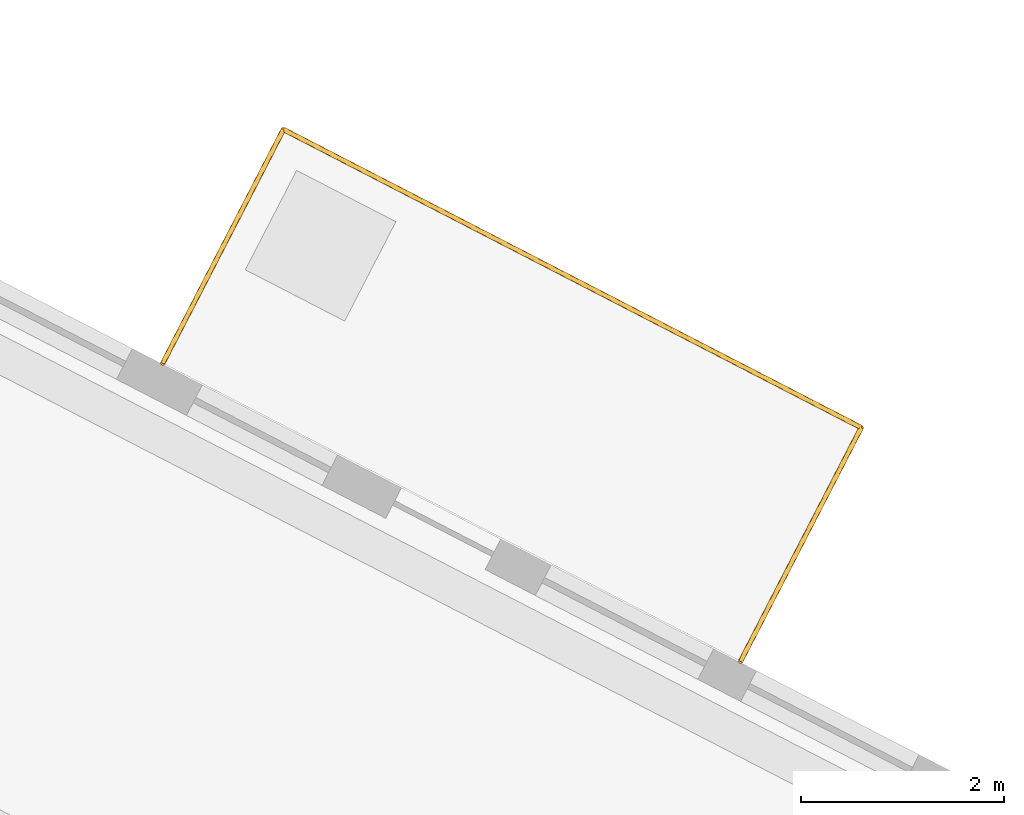
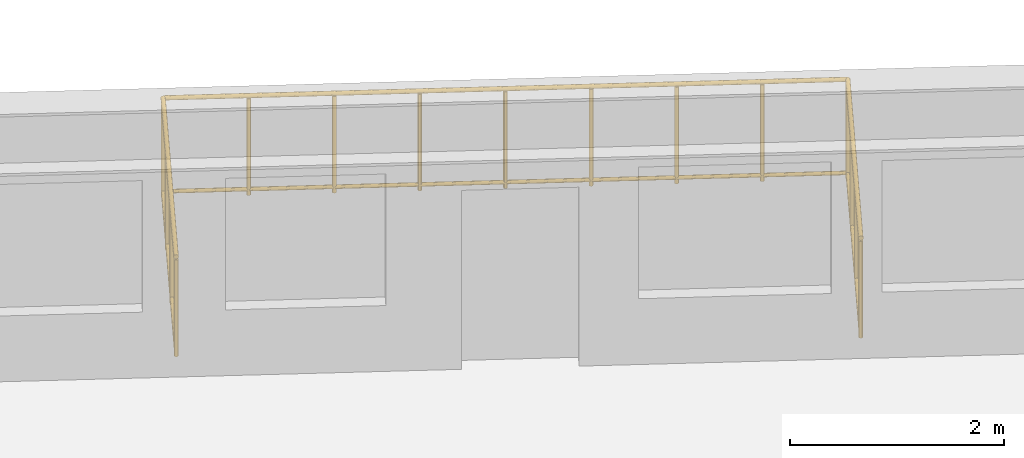
# One storey, part 8 of 8: 1 railing.
"""IFC4 building model written with IfcOpenShell, lengths in metres."""

from ifc_helpers import new_model, si_unit, direction, frame, origin, origin_2d, place, context, subcontext, project, spatial, circle, extrude, material, type_object, element, save


model = new_model("IFC4")

# Units and contexts
model_context = context("Model", 3, precision=1e-05, world=origin(), true_north=direction((0.0, 1.0)))
body_context = subcontext(model_context, "Body", "Model", "MODEL_VIEW")
ifc_project = project(units=[si_unit("LENGTHUNIT", "METRE"), si_unit("AREAUNIT", "SQUARE_METRE"), si_unit("VOLUMEUNIT", "CUBIC_METRE"), si_unit("PLANEANGLEUNIT", "RADIAN"), si_unit("MASSUNIT", "GRAM", prefix="KILO"), si_unit("THERMODYNAMICTEMPERATUREUNIT", "KELVIN"), si_unit("POWERUNIT", "WATT")], contexts=[model_context])

# Site, building, storey
site_placement = place(None, origin())
site = spatial("IfcSite", under=ifc_project, at=site_placement, CompositionType="ELEMENT")
building_placement = place(site_placement, origin())
building = spatial("IfcBuilding", under=site, at=building_placement, Name="Skarre Station Tower", CompositionType="ELEMENT")
storey_placement = place(building_placement, frame((0.0, 0.0, 81.75)))
storey = spatial("IfcBuildingStorey", under=building, at=storey_placement, Name="L21", CompositionType="ELEMENT", Elevation=81.75)

# Railing
ifc_material = material(Name="Stainless Steel Grade 316L & Laminated Safety Glass", Category="steel")
railing_type = type_object("IfcRailingType", Name="Laminated Glass & Stainless Terrace Guardrail 1150", PredefinedType="BALUSTRADE", material=ifc_material)
railing_placement = place(storey_placement, frame((51.679931640625, 40.240966796875, 0.0)))
element("IfcRailing", 1, at=railing_placement, inside=storey, type_object=railing_type, Name="L21 TB-L21-F0 Tree-Balcony Guardrail", PredefinedType="BALUSTRADE", context=body_context, shape_type="SweptSolid", body=[
    extrude(circle(Radius=0.02392578125, at=origin_2d()), frame((0.0, 0.0, 1.1259765625), z_axis=(0.458599707136, 0.888642959019, 0.0), x_axis=(-0.888642959019, 0.458599707136, 0.0)), (0.0, 0.0, 1.0), 2.590576171875),
    extrude(circle(Radius=0.02099609375, at=origin_2d()), frame((0.0, 0.0, 0.06005859375), z_axis=(0.458599707136, 0.888642959019, 0.0), x_axis=(-0.888642959019, 0.458599707136, 0.0)), (0.0, 0.0, 1.0), 2.590576171875),
    extrude(circle(Radius=0.02392578125, at=origin_2d()), frame((1.18798828125, 2.302001953125, 1.1259765625), z_axis=(-0.888663779873, 0.458559359672, 0.0), x_axis=(-0.458559359672, -0.888663779873, 0.0)), (0.0, 0.0, 1.0), 6.400634765625),
    extrude(circle(Radius=0.02099609375, at=origin_2d()), frame((1.18798828125, 2.302001953125, 0.06005859375), z_axis=(-0.888663779873, 0.458559359672, 0.0), x_axis=(-0.458559359672, -0.888663779873, 0.0)), (0.0, 0.0, 1.0), 6.400634765625),
    extrude(circle(Radius=0.02392578125, at=origin_2d()), frame((-4.5, 5.237060546875, 1.1259765625), z_axis=(-0.458599707136, -0.888642959019, 0.0), x_axis=(0.888642959019, -0.458599707136, 0.0)), (0.0, 0.0, 1.0), 2.590576171875),
    extrude(circle(Radius=0.02099609375, at=origin_2d()), frame((-4.5, 5.237060546875, 0.06005859375), z_axis=(-0.458599707136, -0.888642959019, 0.0), x_axis=(0.888642959019, -0.458599707136, 0.0)), (0.0, 0.0, 1.0), 2.590576171875),
    extrude(circle(Radius=0.02099609375, at=origin_2d()), origin(), (0.0, 0.0, 1.0), 1.101806640625),
    extrude(circle(Radius=0.02099609375, at=origin_2d()), frame((0.39599609375, 0.767333984375, 0.0)), (0.0, 0.0, 1.0), 1.101806640625),
    extrude(circle(Radius=0.02099609375, at=origin_2d()), frame((0.7919921875, 1.53466796875, 0.0)), (0.0, 0.0, 1.0), 1.101806640625),
    extrude(circle(Radius=0.02099609375, at=origin_2d()), frame((1.18798828125, 2.302001953125, 0.0)), (0.0, 0.0, 1.0), 1.101806640625),
    extrude(circle(Radius=0.02099609375, at=origin_2d()), frame((0.47705078125, 2.6689453125, 0.0)), (0.0, 0.0, 1.0), 1.101806640625),
    extrude(circle(Radius=0.02099609375, at=origin_2d()), frame((-0.23388671875, 3.03564453125, 0.0)), (0.0, 0.0, 1.0), 1.101806640625),
    extrude(circle(Radius=0.02099609375, at=origin_2d()), frame((-0.945068359375, 3.402587890625, 0.0)), (0.0, 0.0, 1.0), 1.101806640625),
    extrude(circle(Radius=0.02099609375, at=origin_2d()), frame((-1.656005859375, 3.76953125, 0.0)), (0.0, 0.0, 1.0), 1.101806640625),
    extrude(circle(Radius=0.02099609375, at=origin_2d()), frame((-2.366943359375, 4.136474609375, 0.0)), (0.0, 0.0, 1.0), 1.101806640625),
    extrude(circle(Radius=0.02099609375, at=origin_2d()), frame((-3.078125, 4.50341796875, 0.0)), (0.0, 0.0, 1.0), 1.101806640625),
    extrude(circle(Radius=0.02099609375, at=origin_2d()), frame((-3.7890625, 4.8701171875, 0.0)), (0.0, 0.0, 1.0), 1.101806640625),
    extrude(circle(Radius=0.02099609375, at=origin_2d()), frame((-4.5, 5.237060546875, 0.0)), (0.0, 0.0, 1.0), 1.101806640625),
    extrude(circle(Radius=0.02099609375, at=origin_2d()), frame((-4.89599609375, 4.4697265625, 0.0)), (0.0, 0.0, 1.0), 1.101806640625),
    extrude(circle(Radius=0.02099609375, at=origin_2d()), frame((-5.2919921875, 3.702392578125, 0.0)), (0.0, 0.0, 1.0), 1.101806640625),
    extrude(circle(Radius=0.02099609375, at=origin_2d()), frame((-5.68798828125, 2.93505859375, 0.0)), (0.0, 0.0, 1.0), 1.101806640625),
])

save(model, "model.ifc")
